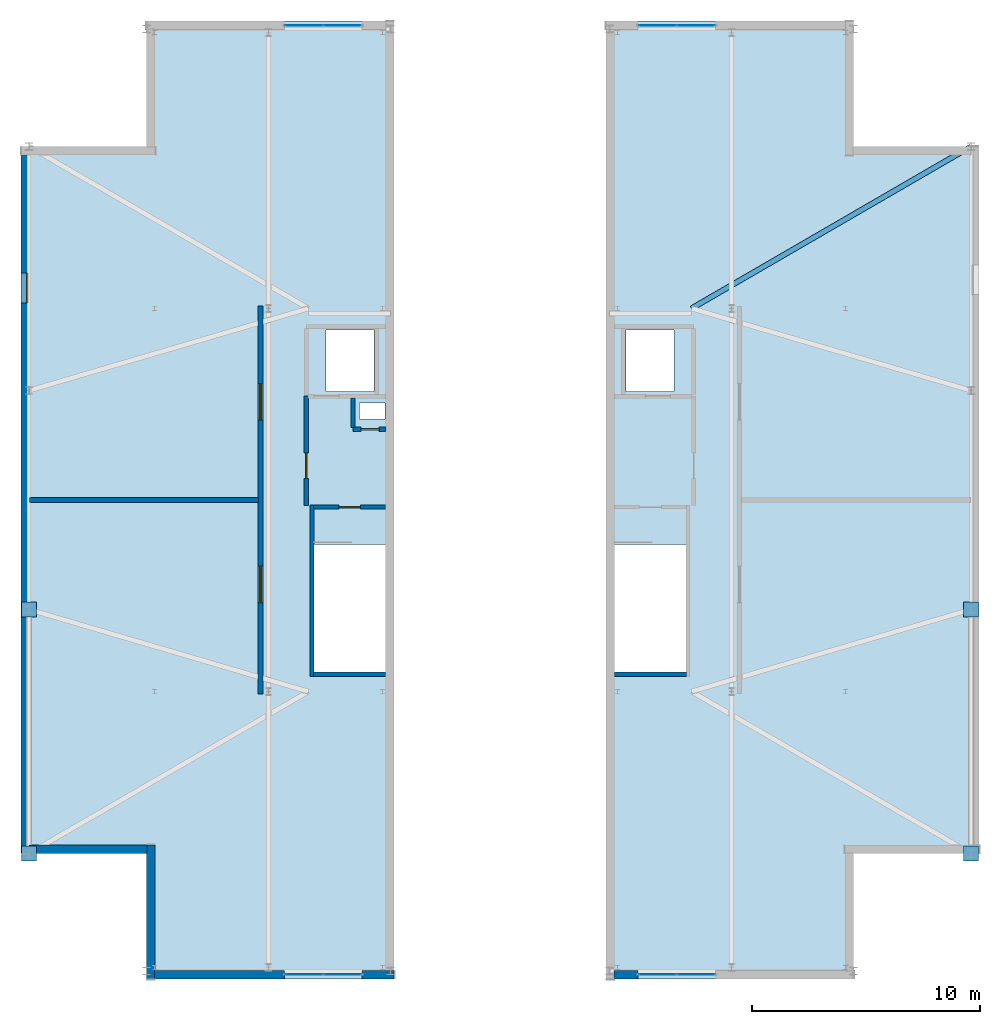
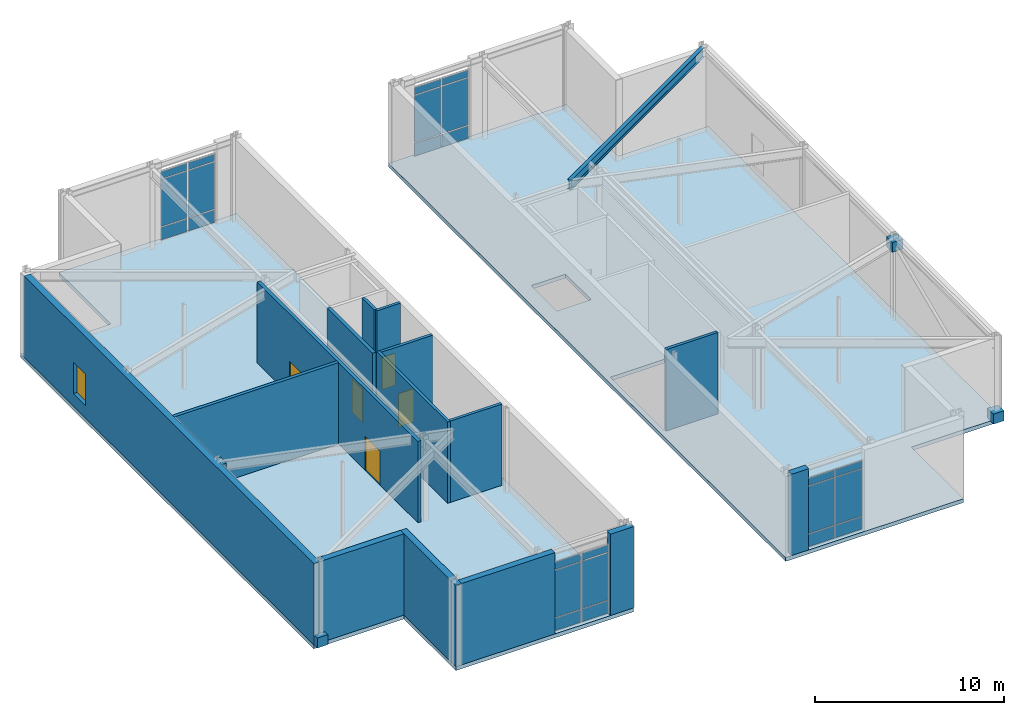
# One storey, part 11 of 14: 28 plates, 15 walls, 5 doors, 2 slabs, 1 beam, 1 window, 6 openings, 4 elements without a shape of their own.
"""IFC4 building model written with IfcOpenShell, lengths in metres."""

from ifc_helpers import new_model, si_unit, direction, frame, frame_2d, origin, origin_2d, place, context, subcontext, project, spatial, polyline, rectangle, i_section, outline, extrude, material, layer, layer_set, material_profile, profile_set, type_object, element, fill, aggregate, save


model = new_model("IFC4")

# Units and contexts
model_context = context("Model", 3, precision=1e-05, world=origin(), true_north=direction((0.0, 1.0)))
body_context = subcontext(model_context, "Body", "Model", "MODEL_VIEW")
ifc_project = project(units=[si_unit("LENGTHUNIT", "METRE"), si_unit("AREAUNIT", "SQUARE_METRE"), si_unit("VOLUMEUNIT", "CUBIC_METRE"), si_unit("PLANEANGLEUNIT", "RADIAN"), si_unit("MASSUNIT", "GRAM", prefix="KILO")], contexts=[model_context])

# Site, building, storey
site_placement = place(None, origin())
site = spatial("IfcSite", under=ifc_project, at=site_placement, CompositionType="ELEMENT")
building_placement = place(site_placement, origin())
building = spatial("IfcBuilding", under=site, at=building_placement, Name="Cairnveth Concourse Tower", CompositionType="ELEMENT")
storey_placement = place(building_placement, frame((0.0, 0.0, 330.0)))
storey = spatial("IfcBuildingStorey", under=building, at=storey_placement, Name="L90", CompositionType="ELEMENT", Elevation=330.0)

# Beam
ifc_material_1 = material(Name="Steel Grade 350", Category="steel")
ifc_material_profile = material_profile(ifc_material_1, i_section(OverallWidth=0.22900390625, OverallDepth=0.612060546875, WebThickness=0.011962890625, FlangeThickness=0.01953125, FilletRadius=0.013916015625, at=origin_2d()), Name="610UB125")
ifc_profile_set = profile_set([ifc_material_profile], Name="Steel Grade 350")
beam_type = type_object("IfcBeamType", Name="ZONE 4 RADIAL GIRDER 610UB125", PredefinedType="BEAM", material=ifc_profile_set)
beam_placement = place(storey_placement, frame((60.39990234375, 47.39990234375, 4.944091796875), z_axis=(0.86518141842, 0.501458984584, 0.0), x_axis=(-0.501458984584, 0.86518141842, 0.0)))
element("IfcBeam", 1, at=beam_placement, inside=storey, type_object=beam_type, Name="Beam CB-E4 L90", PredefinedType="BEAM", context=body_context, shape_type="SweptSolid", body=[
    extrude(i_section(OverallWidth=0.22900390625, OverallDepth=0.612060546875, WebThickness=0.011962890625, FlangeThickness=0.01953125, FilletRadius=0.013916015625, at=origin_2d()), origin(), (0.0, 0.0, 1.0), 14.158935546875),
])

# Slabs
ifc_material_2 = material(Name="Concrete N50 (50 MPa)", Category="concrete")
ifc_layer_1 = layer(ifc_material_2, 0.25)
ifc_layer_set_1 = layer_set([ifc_layer_1], Name="Concrete N50 (50 MPa)")
slab_type = type_object("IfcSlabType", Name="CROWN PLANT FLOOR SLAB 250", PredefinedType="FLOOR", material=ifc_layer_set_1)
slab_1_placement = place(storey_placement, frame((0.0, 0.0, -0.25)))
element("IfcSlab", 2, at=slab_1_placement, inside=storey, type_object=slab_type, Name="West Crown Peak Floor Slab L90", PredefinedType="FLOOR", context=body_context, shape_type="SweptSolid", body=[
    extrude(outline(polyline([(36.5, 18.0), (47.360107421875, 18.0), (47.360107421875, 60.0), (36.5, 60.0), (36.5, 54.5), (31.0, 54.5), (31.0, 23.5), (36.5, 23.5), (36.5, 18.0)]), holes=[polyline([(43.760009765625, 31.360107421875), (47.06005859375, 31.360107421875), (47.06005859375, 37.0400390625), (43.760009765625, 37.0400390625), (43.760009765625, 31.360107421875)]), polyline([(44.3701171875, 43.75), (46.469970703125, 43.75), (46.469970703125, 46.449951171875), (44.3701171875, 46.449951171875), (44.3701171875, 43.75)]), polyline([(45.85009765625, 42.550048828125), (46.949951171875, 42.550048828125), (46.949951171875, 43.25), (45.85009765625, 43.25), (45.85009765625, 42.550048828125)])]), origin(), (0.0, 0.0, 1.0), 0.25),
])
slab_2_placement = place(storey_placement, frame((0.0, 0.0, -0.25)))
element("IfcSlab", 3, at=slab_2_placement, inside=storey, type_object=slab_type, Name="East Crown Peak Floor Slab L90", PredefinedType="FLOOR", context=body_context, shape_type="SweptSolid", body=[
    extrude(outline(polyline([(56.639892578125, 18.0), (67.5, 18.0), (67.5, 23.5), (73.0, 23.5), (73.0, 54.5), (67.5, 54.5), (67.5, 60.0), (56.639892578125, 60.0), (56.639892578125, 18.0)]), holes=[polyline([(56.93994140625, 31.360107421875), (60.239990234375, 31.360107421875), (60.239990234375, 37.0400390625), (56.93994140625, 37.0400390625), (56.93994140625, 31.360107421875)]), polyline([(57.530029296875, 43.75), (59.6298828125, 43.75), (59.6298828125, 46.449951171875), (57.530029296875, 46.449951171875), (57.530029296875, 43.75)])]), origin(), (0.0, 0.0, 1.0), 0.25),
])

# Curtain wall, plates
ifc_material_3 = material(Name="Architectural Bronze Anodised Aluminium 6063-T6", Category="aluminium")
ifc_layer_2 = layer(ifc_material_3, 0.320068359375)
ifc_layer_set_2 = layer_set([ifc_layer_2], Name="Architectural Bronze Anodised Aluminium 6063-T6")
curtain_wall_type = type_object("IfcCurtainWallType", Name="CROWN LANTERN GABLE CURTAIN WALL", PredefinedType="USERDEFINED", material=ifc_layer_set_2)
curtain_wall_1_placement = place(storey_placement, origin())
curtain_wall_1 = element("IfcCurtainWall", 4, at=curtain_wall_1_placement, inside=storey, type_object=curtain_wall_type, Name="Curtain Wall CW-L90-CROWN-W5", ObjectType="SHOPFRONT GLAZING", PredefinedType="USERDEFINED")
ifc_material_4 = material(Name="Double Glazed Low-E Clear Glass", Category="glass")
ifc_layer_3 = layer(ifc_material_4, 0.028076171875)
ifc_layer_set_3 = layer_set([ifc_layer_3], Name="Double Glazed Low-E Clear Glass")
plate_type_1 = type_object("IfcPlateType", Name="DOUBLE GLAZED LOW-E CURTAIN PANEL 28", PredefinedType="CURTAIN_PANEL", material=ifc_layer_set_3)
plate_1_placement = place(storey_placement, frame((43.407470703125, 59.81005859375, 0.06005859375), z_axis=(0.0, 0.0, 1.0), x_axis=(1.0, 0.0, 0.0)))
plate_1 = element("IfcPlate", 5, at=plate_1_placement, type_object=plate_type_1, Name="CWS6 panel 1.1", PredefinedType="CURTAIN_PANEL", context=body_context, shape_type="SweptSolid", body=[
    extrude(rectangle(XDim=1.625, YDim=0.028076171875, at=origin_2d()), origin(), (0.0, 0.0, 1.0), 0.81005859375),
])
plate_2_placement = place(storey_placement, frame((43.407470703125, 59.81005859375, 0.93017578125), z_axis=(0.0, 0.0, 1.0), x_axis=(1.0, 0.0, 0.0)))
plate_2 = element("IfcPlate", 6, at=plate_2_placement, type_object=plate_type_1, Name="CWS6 panel 1.2", PredefinedType="CURTAIN_PANEL", context=body_context, shape_type="SweptSolid", body=[
    extrude(rectangle(XDim=1.625, YDim=0.028076171875, at=origin_2d()), origin(), (0.0, 0.0, 1.0), 3.028076171875),
])
plate_3_placement = place(storey_placement, frame((43.407470703125, 59.81005859375, 4.01806640625), z_axis=(0.0, 0.0, 1.0), x_axis=(1.0, 0.0, 0.0)))
plate_3 = element("IfcPlate", 7, at=plate_3_placement, type_object=plate_type_1, Name="CWS6 panel 1.3", PredefinedType="CURTAIN_PANEL", context=body_context, shape_type="SweptSolid", body=[
    extrude(rectangle(XDim=1.625, YDim=0.028076171875, at=origin_2d()), origin(), (0.0, 0.0, 1.0), 0.4599609375),
])
plate_4_placement = place(storey_placement, frame((45.092529296875, 59.81005859375, 0.06005859375), z_axis=(0.0, 0.0, 1.0), x_axis=(1.0, 0.0, 0.0)))
plate_4 = element("IfcPlate", 8, at=plate_4_placement, type_object=plate_type_1, Name="CWS6 panel 2.1", PredefinedType="CURTAIN_PANEL", context=body_context, shape_type="SweptSolid", body=[
    extrude(rectangle(XDim=1.625, YDim=0.028076171875, at=origin_2d()), origin(), (0.0, 0.0, 1.0), 0.81005859375),
])
plate_5_placement = place(storey_placement, frame((45.092529296875, 59.81005859375, 0.93017578125), z_axis=(0.0, 0.0, 1.0), x_axis=(1.0, 0.0, 0.0)))
plate_5 = element("IfcPlate", 9, at=plate_5_placement, type_object=plate_type_1, Name="CWS6 panel 2.2", PredefinedType="CURTAIN_PANEL", context=body_context, shape_type="SweptSolid", body=[
    extrude(rectangle(XDim=1.625, YDim=0.028076171875, at=origin_2d()), origin(), (0.0, 0.0, 1.0), 3.028076171875),
])
plate_6_placement = place(storey_placement, frame((45.092529296875, 59.81005859375, 4.01806640625), z_axis=(0.0, 0.0, 1.0), x_axis=(1.0, 0.0, 0.0)))
plate_6 = element("IfcPlate", 10, at=plate_6_placement, type_object=plate_type_1, Name="CWS6 panel 2.3", PredefinedType="CURTAIN_PANEL", context=body_context, shape_type="SweptSolid", body=[
    extrude(rectangle(XDim=1.625, YDim=0.028076171875, at=origin_2d()), origin(), (0.0, 0.0, 1.0), 0.4599609375),
])
aggregate(curtain_wall_1, [plate_1, plate_2, plate_3, plate_4, plate_5, plate_6])

curtain_wall_2_placement = place(storey_placement, origin())
curtain_wall_2 = element("IfcCurtainWall", 11, at=curtain_wall_2_placement, inside=storey, type_object=curtain_wall_type, Name="Curtain Wall CW-L90-CROWN-W7", ObjectType="SHOPFRONT GLAZING", PredefinedType="USERDEFINED")
plate_7_placement = place(storey_placement, frame((45.092529296875, 18.18994140625, 0.06005859375), z_axis=(0.0, 0.0, 1.0), x_axis=(-1.0, 0.0, 0.0)))
plate_7 = element("IfcPlate", 12, at=plate_7_placement, type_object=plate_type_1, Name="CWS6 panel 1.1", PredefinedType="CURTAIN_PANEL", context=body_context, shape_type="SweptSolid", body=[
    extrude(rectangle(XDim=1.625, YDim=0.028076171875, at=origin_2d()), origin(), (0.0, 0.0, 1.0), 0.81005859375),
])
plate_8_placement = place(storey_placement, frame((45.092529296875, 18.18994140625, 0.93017578125), z_axis=(0.0, 0.0, 1.0), x_axis=(-1.0, 0.0, 0.0)))
plate_8 = element("IfcPlate", 13, at=plate_8_placement, type_object=plate_type_1, Name="CWS6 panel 1.2", PredefinedType="CURTAIN_PANEL", context=body_context, shape_type="SweptSolid", body=[
    extrude(rectangle(XDim=1.625, YDim=0.028076171875, at=origin_2d()), origin(), (0.0, 0.0, 1.0), 3.028076171875),
])
plate_9_placement = place(storey_placement, frame((45.092529296875, 18.18994140625, 4.01806640625), z_axis=(0.0, 0.0, 1.0), x_axis=(-1.0, 0.0, 0.0)))
plate_9 = element("IfcPlate", 14, at=plate_9_placement, type_object=plate_type_1, Name="CWS6 panel 1.3", PredefinedType="CURTAIN_PANEL", context=body_context, shape_type="SweptSolid", body=[
    extrude(rectangle(XDim=1.625, YDim=0.028076171875, at=origin_2d()), origin(), (0.0, 0.0, 1.0), 0.4599609375),
])
plate_10_placement = place(storey_placement, frame((43.407470703125, 18.18994140625, 0.06005859375), z_axis=(0.0, 0.0, 1.0), x_axis=(-1.0, 0.0, 0.0)))
plate_10 = element("IfcPlate", 15, at=plate_10_placement, type_object=plate_type_1, Name="CWS6 panel 2.1", PredefinedType="CURTAIN_PANEL", context=body_context, shape_type="SweptSolid", body=[
    extrude(rectangle(XDim=1.625, YDim=0.028076171875, at=origin_2d()), origin(), (0.0, 0.0, 1.0), 0.81005859375),
])
plate_11_placement = place(storey_placement, frame((43.407470703125, 18.18994140625, 0.93017578125), z_axis=(0.0, 0.0, 1.0), x_axis=(-1.0, 0.0, 0.0)))
plate_11 = element("IfcPlate", 16, at=plate_11_placement, type_object=plate_type_1, Name="CWS6 panel 2.2", PredefinedType="CURTAIN_PANEL", context=body_context, shape_type="SweptSolid", body=[
    extrude(rectangle(XDim=1.625, YDim=0.028076171875, at=origin_2d()), origin(), (0.0, 0.0, 1.0), 3.028076171875),
])
plate_12_placement = place(storey_placement, frame((43.407470703125, 18.18994140625, 4.01806640625), z_axis=(0.0, 0.0, 1.0), x_axis=(-1.0, 0.0, 0.0)))
plate_12 = element("IfcPlate", 17, at=plate_12_placement, type_object=plate_type_1, Name="CWS6 panel 2.3", PredefinedType="CURTAIN_PANEL", context=body_context, shape_type="SweptSolid", body=[
    extrude(rectangle(XDim=1.625, YDim=0.028076171875, at=origin_2d()), origin(), (0.0, 0.0, 1.0), 0.4599609375),
])
aggregate(curtain_wall_2, [plate_7, plate_8, plate_9, plate_10, plate_11, plate_12])

curtain_wall_3_placement = place(storey_placement, origin())
curtain_wall_3 = element("IfcCurtainWall", 18, at=curtain_wall_3_placement, inside=storey, type_object=curtain_wall_type, Name="Curtain Wall CW-L90-CROWN-E1", ObjectType="SHOPFRONT GLAZING", PredefinedType="USERDEFINED")
plate_13_placement = place(storey_placement, frame((58.907470703125, 59.81005859375, 0.06005859375), z_axis=(0.0, 0.0, 1.0), x_axis=(1.0, 0.0, 0.0)))
plate_13 = element("IfcPlate", 19, at=plate_13_placement, type_object=plate_type_1, Name="CWS6 panel 1.1", PredefinedType="CURTAIN_PANEL", context=body_context, shape_type="SweptSolid", body=[
    extrude(rectangle(XDim=1.625, YDim=0.028076171875, at=origin_2d()), origin(), (0.0, 0.0, 1.0), 0.81005859375),
])
plate_14_placement = place(storey_placement, frame((58.907470703125, 59.81005859375, 0.93017578125), z_axis=(0.0, 0.0, 1.0), x_axis=(1.0, 0.0, 0.0)))
plate_14 = element("IfcPlate", 20, at=plate_14_placement, type_object=plate_type_1, Name="CWS6 panel 1.2", PredefinedType="CURTAIN_PANEL", context=body_context, shape_type="SweptSolid", body=[
    extrude(rectangle(XDim=1.625, YDim=0.028076171875, at=origin_2d()), origin(), (0.0, 0.0, 1.0), 3.028076171875),
])
plate_15_placement = place(storey_placement, frame((58.907470703125, 59.81005859375, 4.01806640625), z_axis=(0.0, 0.0, 1.0), x_axis=(1.0, 0.0, 0.0)))
plate_15 = element("IfcPlate", 21, at=plate_15_placement, type_object=plate_type_1, Name="CWS6 panel 1.3", PredefinedType="CURTAIN_PANEL", context=body_context, shape_type="SweptSolid", body=[
    extrude(rectangle(XDim=1.625, YDim=0.028076171875, at=origin_2d()), origin(), (0.0, 0.0, 1.0), 0.4599609375),
])
plate_16_placement = place(storey_placement, frame((60.592529296875, 59.81005859375, 0.06005859375), z_axis=(0.0, 0.0, 1.0), x_axis=(1.0, 0.0, 0.0)))
plate_16 = element("IfcPlate", 22, at=plate_16_placement, type_object=plate_type_1, Name="CWS6 panel 2.1", PredefinedType="CURTAIN_PANEL", context=body_context, shape_type="SweptSolid", body=[
    extrude(rectangle(XDim=1.625, YDim=0.028076171875, at=origin_2d()), origin(), (0.0, 0.0, 1.0), 0.81005859375),
])
plate_17_placement = place(storey_placement, frame((60.592529296875, 59.81005859375, 0.93017578125), z_axis=(0.0, 0.0, 1.0), x_axis=(1.0, 0.0, 0.0)))
plate_17 = element("IfcPlate", 23, at=plate_17_placement, type_object=plate_type_1, Name="CWS6 panel 2.2", PredefinedType="CURTAIN_PANEL", context=body_context, shape_type="SweptSolid", body=[
    extrude(rectangle(XDim=1.625, YDim=0.028076171875, at=origin_2d()), origin(), (0.0, 0.0, 1.0), 3.028076171875),
])
plate_18_placement = place(storey_placement, frame((60.592529296875, 59.81005859375, 4.01806640625), z_axis=(0.0, 0.0, 1.0), x_axis=(1.0, 0.0, 0.0)))
plate_18 = element("IfcPlate", 24, at=plate_18_placement, type_object=plate_type_1, Name="CWS6 panel 2.3", PredefinedType="CURTAIN_PANEL", context=body_context, shape_type="SweptSolid", body=[
    extrude(rectangle(XDim=1.625, YDim=0.028076171875, at=origin_2d()), origin(), (0.0, 0.0, 1.0), 0.4599609375),
])
aggregate(curtain_wall_3, [plate_13, plate_14, plate_15, plate_16, plate_17, plate_18])

curtain_wall_4_placement = place(storey_placement, origin())
curtain_wall_4 = element("IfcCurtainWall", 25, at=curtain_wall_4_placement, inside=storey, type_object=curtain_wall_type, Name="Curtain Wall CW-L90-CROWN-E7", ObjectType="SHOPFRONT GLAZING", PredefinedType="USERDEFINED")
plate_19_placement = place(storey_placement, frame((60.592529296875, 18.18994140625, 0.06005859375), z_axis=(0.0, 0.0, 1.0), x_axis=(-1.0, 0.0, 0.0)))
plate_19 = element("IfcPlate", 26, at=plate_19_placement, type_object=plate_type_1, Name="CWS6 panel 1.1", PredefinedType="CURTAIN_PANEL", context=body_context, shape_type="SweptSolid", body=[
    extrude(rectangle(XDim=1.625, YDim=0.028076171875, at=origin_2d()), origin(), (0.0, 0.0, 1.0), 0.81005859375),
])
plate_20_placement = place(storey_placement, frame((60.592529296875, 18.18994140625, 0.93017578125), z_axis=(0.0, 0.0, 1.0), x_axis=(-1.0, 0.0, 0.0)))
plate_20 = element("IfcPlate", 27, at=plate_20_placement, type_object=plate_type_1, Name="CWS6 panel 1.2", PredefinedType="CURTAIN_PANEL", context=body_context, shape_type="SweptSolid", body=[
    extrude(rectangle(XDim=1.625, YDim=0.028076171875, at=origin_2d()), origin(), (0.0, 0.0, 1.0), 3.028076171875),
])
plate_21_placement = place(storey_placement, frame((60.592529296875, 18.18994140625, 4.01806640625), z_axis=(0.0, 0.0, 1.0), x_axis=(-1.0, 0.0, 0.0)))
plate_21 = element("IfcPlate", 28, at=plate_21_placement, type_object=plate_type_1, Name="CWS6 panel 1.3", PredefinedType="CURTAIN_PANEL", context=body_context, shape_type="SweptSolid", body=[
    extrude(rectangle(XDim=1.625, YDim=0.028076171875, at=origin_2d()), origin(), (0.0, 0.0, 1.0), 0.4599609375),
])
plate_22_placement = place(storey_placement, frame((58.907470703125, 18.18994140625, 0.06005859375), z_axis=(0.0, 0.0, 1.0), x_axis=(-1.0, 0.0, 0.0)))
plate_22 = element("IfcPlate", 29, at=plate_22_placement, type_object=plate_type_1, Name="CWS6 panel 2.1", PredefinedType="CURTAIN_PANEL", context=body_context, shape_type="SweptSolid", body=[
    extrude(rectangle(XDim=1.625, YDim=0.028076171875, at=origin_2d()), origin(), (0.0, 0.0, 1.0), 0.81005859375),
])
plate_23_placement = place(storey_placement, frame((58.907470703125, 18.18994140625, 0.93017578125), z_axis=(0.0, 0.0, 1.0), x_axis=(-1.0, 0.0, 0.0)))
plate_23 = element("IfcPlate", 30, at=plate_23_placement, type_object=plate_type_1, Name="CWS6 panel 2.2", PredefinedType="CURTAIN_PANEL", context=body_context, shape_type="SweptSolid", body=[
    extrude(rectangle(XDim=1.625, YDim=0.028076171875, at=origin_2d()), origin(), (0.0, 0.0, 1.0), 3.028076171875),
])
plate_24_placement = place(storey_placement, frame((58.907470703125, 18.18994140625, 4.01806640625), z_axis=(0.0, 0.0, 1.0), x_axis=(-1.0, 0.0, 0.0)))
plate_24 = element("IfcPlate", 31, at=plate_24_placement, type_object=plate_type_1, Name="CWS6 panel 2.3", PredefinedType="CURTAIN_PANEL", context=body_context, shape_type="SweptSolid", body=[
    extrude(rectangle(XDim=1.625, YDim=0.028076171875, at=origin_2d()), origin(), (0.0, 0.0, 1.0), 0.4599609375),
])
aggregate(curtain_wall_4, [plate_19, plate_20, plate_21, plate_22, plate_23, plate_24])

# Plates
ifc_layer_4 = layer(ifc_material_1, 0.02392578125)
ifc_layer_set_4 = layer_set([ifc_layer_4], Name="Steel Grade 350")
plate_type_2 = type_object("IfcPlateType", Name="HOLLOW BRACE END CAP PLATE 24", PredefinedType="SHEET", material=ifc_layer_set_4)
for number, where, z_axis, x_axis, name in (
    (32, (31.35009765625, 23.5, -0.02001953125), (0.0, 0.0, 1.0), (1.0, 0.0, 0.0), "Structural Node Plate 1565 L90"),
    (33, (31.35009765625, 34.199951171875, 4.580078125), (0.0, 0.0, 1.0), (1.0, 0.0, 0.0), "Structural Node Plate 1566 L90"),
    (34, (72.64990234375, 23.5, -0.02001953125), (0.0, 0.0, 1.0), (1.0, 0.0, 0.0), "Structural Node Plate 1567 L90"),
    (35, (72.64990234375, 34.199951171875, 4.580078125), (0.0, 0.0, 1.0), (1.0, 0.0, 0.0), "Structural Node Plate 1568 L90"),
):
    element("IfcPlate", number, at=place(storey_placement, frame(where, z_axis=z_axis, x_axis=x_axis)), inside=storey, type_object=plate_type_2, Name=name, PredefinedType="SHEET", context=body_context, shape_type="SweptSolid", body=[
        extrude(rectangle(XDim=0.639892578125, YDim=0.639892578125, at=origin_2d()), origin(), (0.0, 0.0, 1.0), 0.639892578125),
    ])

# Walls
ifc_material_5 = material(Name="Melbourne Buff Fired Clay Brick Masonry", Category="masonry")
ifc_layer_5 = layer(ifc_material_5, 0.3798828125)
ifc_layer_set_5 = layer_set([ifc_layer_5], Name="Melbourne Buff Fired Clay Brick Masonry")
wall_type_1 = type_object("IfcWallType", Name="EXTERIOR BRICK SPANDREL WALL 380", PredefinedType="SOLIDWALL", material=ifc_layer_set_5)
wall_1_placement = place(storey_placement, frame((36.68994140625, 18.0, 0.0), z_axis=(0.0, 0.0, 1.0), x_axis=(0.0, 1.0, 0.0)))
element("IfcWall", 36, at=wall_1_placement, inside=storey, type_object=wall_type_1, Name="Exterior Wall EW-L90-W0", PredefinedType="SOLIDWALL", context=body_context, shape_type="SweptSolid", body=[
    extrude(rectangle(XDim=5.8798828125, YDim=0.3798828125, at=frame_2d((2.93994140625, 0.0))), origin(), (0.0, 0.0, 1.0), 5.25),
])
wall_2_placement = place(storey_placement, frame((36.52197265625, 23.68994140625, 0.0), z_axis=(0.0, 0.0, 1.0), x_axis=(-1.0, 0.0, 0.0)))
element("IfcWall", 37, at=wall_2_placement, inside=storey, type_object=wall_type_1, Name="Exterior Wall EW-L90-W1", PredefinedType="SOLIDWALL", context=body_context, shape_type="SweptSolid", body=[
    extrude(rectangle(XDim=5.1640625, YDim=0.3798828125, at=frame_2d((2.58203125, 0.0))), origin(), (0.0, 0.0, 1.0), 5.25),
])

# Wall, opening, window
wall_3_placement = place(storey_placement, frame((31.18994140625, 23.5, 0.0), z_axis=(0.0, 0.0, 1.0), x_axis=(0.0, 1.0, 0.0)))
wall_3 = element("IfcWall", 38, at=wall_3_placement, inside=storey, type_object=wall_type_1, Name="Exterior Wall EW-L90-W2", PredefinedType="SOLIDWALL", context=body_context, shape_type="SweptSolid", body=[
    extrude(rectangle(XDim=30.64208984375, YDim=0.3798828125, at=frame_2d((15.321044921875, 0.0))), origin(), (0.0, 0.0, 1.0), 5.25),
])
opening_1_placement = place(wall_3_placement, frame((24.14208984375, 0.0, 0.800048828125)))
opening_1 = element("IfcOpeningElement", 39, at=opening_1_placement, cuts=wall_3, Name="Opening W12", PredefinedType="OPENING", context=body_context, shape_type="SweptSolid", body=[
    extrude(rectangle(XDim=1.300048828125, YDim=2.050048828125, at=frame_2d((0.64990234375, 1.02490234375))), frame((0.0, 0.199951171875, 0.0), z_axis=(0.0, -1.0, 0.0), x_axis=(1.0, 0.0, 0.0)), (0.0, 0.0, 1.0), 0.39990234375),
])
window_type = type_object("IfcWindowType", Name="CROWN GABLE LANCET WINDOW 1300X2200", PartitioningType="DOUBLE_PANEL_VERTICAL", PredefinedType="WINDOW", material=ifc_material_4)
window_placement = place(opening_1_placement, origin())
window = element("IfcWindow", 40, at=window_placement, inside=storey, type_object=window_type, Name="WIN-L90-W2-1", OverallHeight=2.050048828125, OverallWidth=1.300048828125, PartitioningType="SINGLE_PANEL", PredefinedType="WINDOW", context=body_context, shape_type="SweptSolid", body=[
    extrude(rectangle(XDim=1.300048828125, YDim=2.050048828125, at=frame_2d((0.64990234375, 1.02490234375))), frame((0.0, -0.050048828125, 0.0), z_axis=(0.0, -1.0, 0.0), x_axis=(1.0, 0.0, 0.0)), (0.0, 0.0, 1.0), 0.06005859375),
])
fill(opening_1, window)

# Walls
wall_4_placement = place(storey_placement, frame((47.360107421875, 18.18994140625, 0.0), z_axis=(0.0, 0.0, 1.0), x_axis=(-1.0, 0.0, 0.0)))
element("IfcWall", 41, at=wall_4_placement, inside=storey, type_object=wall_type_1, Name="Exterior Wall EW-L90-W7A", PredefinedType="SOLIDWALL", context=body_context, shape_type="SweptSolid", body=[
    extrude(rectangle(XDim=1.41015625, YDim=0.3798828125, at=frame_2d((0.705078125, 0.0))), origin(), (0.0, 0.0, 1.0), 5.25),
])
wall_5_placement = place(storey_placement, frame((42.550048828125, 18.18994140625, 0.0), z_axis=(0.0, 0.0, 1.0), x_axis=(-1.0, 0.0, 0.0)))
element("IfcWall", 42, at=wall_5_placement, inside=storey, type_object=wall_type_1, Name="Exterior Wall EW-L90-W7B", PredefinedType="SOLIDWALL", context=body_context, shape_type="SweptSolid", body=[
    extrude(rectangle(XDim=5.692138671875, YDim=0.3798828125, at=frame_2d((2.84619140625, 0.0))), origin(), (0.0, 0.0, 1.0), 5.25),
])
wall_6_placement = place(storey_placement, frame((58.050048828125, 18.18994140625, 0.0), z_axis=(0.0, 0.0, 1.0), x_axis=(-1.0, 0.0, 0.0)))
element("IfcWall", 43, at=wall_6_placement, inside=storey, type_object=wall_type_1, Name="Exterior Wall EW-L90-E7B", PredefinedType="SOLIDWALL", context=body_context, shape_type="SweptSolid", body=[
    extrude(rectangle(XDim=1.052001953125, YDim=0.3798828125, at=frame_2d((0.52587890625, 0.0))), origin(), (0.0, 0.0, 1.0), 5.25),
])

# Wall, opening, door
ifc_layer_6 = layer(ifc_material_2, 0.179931640625)
ifc_layer_set_6 = layer_set([ifc_layer_6], Name="Concrete N50 (50 MPa)")
wall_type_2 = type_object("IfcWallType", Name="FIRE SHAFT WALL 180", PredefinedType="SOLIDWALL", material=ifc_layer_set_6)
wall_7_placement = place(storey_placement, frame((45.550048828125, 42.10009765625, 0.0), z_axis=(0.0, 0.0, 1.0), x_axis=(1.0, 0.0, 0.0)))
wall_7 = element("IfcWall", 44, at=wall_7_placement, inside=storey, type_object=wall_type_2, Name="Interior Wall IW-L90-006", PredefinedType="SOLIDWALL", context=body_context, shape_type="SweptSolid", body=[
    extrude(rectangle(XDim=1.445068359375, YDim=0.179931640625, at=frame_2d((0.72265625, 0.0))), origin(), (0.0, 0.0, 1.0), 5.25),
])
opening_2_placement = place(wall_7_placement, frame((0.35009765625, 0.0, 0.0)))
opening_2 = element("IfcOpeningElement", 45, at=opening_2_placement, cuts=wall_7, Name="Opening ID24", PredefinedType="OPENING", context=body_context, shape_type="SweptSolid", body=[
    extrude(rectangle(XDim=0.800048828125, YDim=2.080078125, at=frame_2d((0.39990234375, 1.0400390625))), frame((0.0, 0.099853515625, 0.0), z_axis=(0.0, -1.0, 0.0), x_axis=(1.0, 0.0, 0.0)), (0.0, 0.0, 1.0), 0.199951171875),
])
door_type_1 = type_object("IfcDoorType", Name="RISER ACCESS DOOR 800X2100", OperationType="NOTDEFINED", PredefinedType="DOOR", material=ifc_material_1)
door_1_placement = place(opening_2_placement, origin())
door_1 = element("IfcDoor", 46, at=door_1_placement, inside=storey, type_object=door_type_1, Name="Crown Electrical Riser Access Door L90", OperationType="SINGLE_SWING_LEFT", OverallHeight=2.080078125, OverallWidth=0.800048828125, PredefinedType="DOOR", context=body_context, shape_type="SweptSolid", body=[
    extrude(rectangle(XDim=0.800048828125, YDim=2.080078125, at=frame_2d((0.39990234375, 1.0400390625))), frame((0.0, 0.02490234375, 0.0), z_axis=(0.0, -1.0, 0.0), x_axis=(1.0, 0.0, 0.0)), (0.0, 0.0, 1.0), 0.050048828125),
])
fill(opening_2, door_1)

# Wall
wall_8_placement = place(storey_placement, frame((45.550048828125, 42.175048828125, 0.0), z_axis=(0.0, 0.0, 1.0), x_axis=(0.0, 1.0, 0.0)))
element("IfcWall", 47, at=wall_8_placement, inside=storey, type_object=wall_type_2, Name="Interior Wall IW-L90-007", PredefinedType="SOLIDWALL", context=body_context, shape_type="SweptSolid", body=[
    extrude(rectangle(XDim=1.2900390625, YDim=0.179931640625, at=frame_2d((0.64501953125, 0.0))), origin(), (0.0, 0.0, 1.0), 5.25),
])

# Wall, opening, door
wall_9_placement = place(storey_placement, frame((43.824951171875, 38.68994140625, 0.0), z_axis=(0.0, 0.0, 1.0), x_axis=(1.0, 0.0, 0.0)))
wall_9 = element("IfcWall", 48, at=wall_9_placement, inside=storey, type_object=wall_type_2, Name="Stair ST-1 Shaft Wall NEAR L90", PredefinedType="SOLIDWALL", context=body_context, shape_type="SweptSolid", body=[
    extrude(rectangle(XDim=3.1650390625, YDim=0.179931640625, at=frame_2d((1.58251953125, 0.0))), origin(), (0.0, 0.0, 1.0), 5.25),
])
opening_3_placement = place(wall_9_placement, frame((1.107421875, 0.0, 0.0)))
opening_3 = element("IfcOpeningElement", 49, at=opening_3_placement, cuts=wall_9, Name="Opening ID12", PredefinedType="OPENING", context=body_context, shape_type="SweptSolid", body=[
    extrude(rectangle(XDim=0.949951171875, YDim=2.14990234375, at=frame_2d((0.47509765625, 1.074951171875))), frame((0.0, 0.099853515625, 0.0), z_axis=(0.0, -1.0, 0.0), x_axis=(1.0, 0.0, 0.0)), (0.0, 0.0, 1.0), 0.199951171875),
])
door_type_2 = type_object("IfcDoorType", Name="FIRE STAIR DOOR 950X2150", OperationType="NOTDEFINED", PredefinedType="DOOR", material=ifc_material_1)
door_2_placement = place(opening_3_placement, origin())
door_2 = element("IfcDoor", 50, at=door_2_placement, inside=storey, type_object=door_type_2, Name="Stair ST-1 Fire Door L90", OperationType="SINGLE_SWING_LEFT", OverallHeight=2.14990234375, OverallWidth=0.949951171875, PredefinedType="DOOR", context=body_context, shape_type="SweptSolid", body=[
    extrude(rectangle(XDim=0.949951171875, YDim=2.14990234375, at=frame_2d((0.47509765625, 1.074951171875))), frame((0.0, 0.02490234375, 0.0), z_axis=(0.0, -1.0, 0.0), x_axis=(1.0, 0.0, 0.0)), (0.0, 0.0, 1.0), 0.050048828125),
])
fill(opening_3, door_2)

# Walls
wall_10_placement = place(storey_placement, frame((43.824951171875, 31.360107421875, 0.0), z_axis=(0.0, 0.0, 1.0), x_axis=(1.0, 0.0, 0.0)))
element("IfcWall", 51, at=wall_10_placement, inside=storey, type_object=wall_type_2, Name="Stair ST-1 Shaft Wall FAR L90", PredefinedType="SOLIDWALL", context=body_context, shape_type="SweptSolid", body=[
    extrude(rectangle(XDim=3.1650390625, YDim=0.179931640625, at=frame_2d((1.58251953125, 0.0))), origin(), (0.0, 0.0, 1.0), 5.25),
])
wall_11_placement = place(storey_placement, frame((43.75, 38.780029296875, 0.0), z_axis=(0.0, 0.0, 1.0), x_axis=(0.0, -1.0, 0.0)))
element("IfcWall", 52, at=wall_11_placement, inside=storey, type_object=wall_type_2, Name="Stair ST-1 Shaft Wall LEFT L90", PredefinedType="SOLIDWALL", context=body_context, shape_type="SweptSolid", body=[
    extrude(rectangle(XDim=7.510009765625, YDim=0.179931640625, at=frame_2d((3.7548828125, 0.0))), origin(), (0.0, 0.0, 1.0), 5.25),
])
wall_12_placement = place(storey_placement, frame((57.010009765625, 31.360107421875, 0.0), z_axis=(0.0, 0.0, 1.0), x_axis=(1.0, 0.0, 0.0)))
element("IfcWall", 53, at=wall_12_placement, inside=storey, type_object=wall_type_2, Name="Stair ST-2 Shaft Wall FAR L90", PredefinedType="SOLIDWALL", context=body_context, shape_type="SweptSolid", body=[
    extrude(rectangle(XDim=3.1650390625, YDim=0.179931640625, at=frame_2d((1.58251953125, 0.0))), origin(), (0.0, 0.0, 1.0), 5.25),
])

# Wall, opening, door
ifc_layer_7 = layer(ifc_material_2, 0.199951171875)
ifc_layer_set_7 = layer_set([ifc_layer_7], Name="Concrete N50 (50 MPa)")
wall_type_3 = type_object("IfcWallType", Name="FIRE SHAFT WALL 200", PredefinedType="SOLIDWALL", material=ifc_layer_set_7)
wall_13_placement = place(storey_placement, frame((43.5, 38.75, 0.0), z_axis=(0.0, 0.0, 1.0), x_axis=(0.0, 1.0, 0.0)))
wall_13 = element("IfcWall", 54, at=wall_13_placement, inside=storey, type_object=wall_type_3, Name="Interior Wall IW-L90-001", PredefinedType="SOLIDWALL", context=body_context, shape_type="SweptSolid", body=[
    extrude(rectangle(XDim=4.800048828125, YDim=0.199951171875, at=frame_2d((2.39990234375, 0.0))), origin(), (0.0, 0.0, 1.0), 5.25),
])
opening_4_placement = place(wall_13_placement, frame((1.199951171875, 0.0, 0.0)))
opening_4 = element("IfcOpeningElement", 55, at=opening_4_placement, cuts=wall_13, Name="Opening ID06", PredefinedType="OPENING", context=body_context, shape_type="SweptSolid", body=[
    extrude(rectangle(XDim=1.10009765625, YDim=2.14990234375, at=frame_2d((0.550048828125, 1.074951171875))), frame((0.0, 0.10986328125, 0.0), z_axis=(0.0, -1.0, 0.0), x_axis=(1.0, 0.0, 0.0)), (0.0, 0.0, 1.0), 0.219970703125),
])
door_type_3 = type_object("IfcDoorType", Name="FIRE CORRIDOR DOOR 1100X2150", OperationType="NOTDEFINED", PredefinedType="DOOR", material=ifc_material_1)
door_3_placement = place(opening_4_placement, origin())
door_3 = element("IfcDoor", 56, at=door_3_placement, inside=storey, type_object=door_type_3, Name="West Crown to FF Lobby Door L90", OperationType="SINGLE_SWING_RIGHT", OverallHeight=2.14990234375, OverallWidth=1.10009765625, PredefinedType="DOOR", context=body_context, shape_type="SweptSolid", body=[
    extrude(rectangle(XDim=1.10009765625, YDim=2.14990234375, at=frame_2d((0.550048828125, 1.074951171875))), frame((0.0, 0.02490234375, 0.0), z_axis=(0.0, -1.0, 0.0), x_axis=(1.0, 0.0, 0.0)), (0.0, 0.0, 1.0), 0.050048828125),
])
fill(opening_4, door_3)

# Wall, openings, doors
wall_14_placement = place(storey_placement, frame((41.5, 30.5, 0.0), z_axis=(0.0, 0.0, 1.0), x_axis=(0.0, 1.0, 0.0)))
wall_14 = element("IfcWall", 57, at=wall_14_placement, inside=storey, type_object=wall_type_3, Name="Interior Wall IW-L90-013", PredefinedType="SOLIDWALL", context=body_context, shape_type="SweptSolid", body=[
    extrude(rectangle(XDim=17.0, YDim=0.199951171875, at=frame_2d((8.5, 0.0))), origin(), (0.0, 0.0, 1.0), 5.25),
])
opening_5_placement = place(wall_14_placement, frame((4.0, 0.0, 0.0)))
opening_5 = element("IfcOpeningElement", 58, at=opening_5_placement, cuts=wall_14, Name="Opening ID02", PredefinedType="OPENING", context=body_context, shape_type="SweptSolid", body=[
    extrude(rectangle(XDim=1.60009765625, YDim=2.199951171875, at=frame_2d((0.800048828125, 1.10009765625))), frame((0.0, 0.10986328125, 0.0), z_axis=(0.0, -1.0, 0.0), x_axis=(1.0, 0.0, 0.0)), (0.0, 0.0, 1.0), 0.219970703125),
])
opening_6_placement = place(wall_14_placement, frame((12.0, 0.0, 0.0)))
opening_6 = element("IfcOpeningElement", 59, at=opening_6_placement, cuts=wall_14, Name="Opening ID02", PredefinedType="OPENING", context=body_context, shape_type="SweptSolid", body=[
    extrude(rectangle(XDim=1.60009765625, YDim=2.199951171875, at=frame_2d((0.800048828125, 1.10009765625))), frame((0.0, 0.10986328125, 0.0), z_axis=(0.0, -1.0, 0.0), x_axis=(1.0, 0.0, 0.0)), (0.0, 0.0, 1.0), 0.219970703125),
])
door_type_4 = type_object("IfcDoorType", Name="PLANT DOUBLE DOOR 1600X2200", OperationType="DOUBLE_DOOR_SINGLE_SWING", PredefinedType="DOOR", material=ifc_material_1)
door_4_placement = place(opening_5_placement, origin())
door_4 = element("IfcDoor", 60, at=door_4_placement, inside=storey, type_object=door_type_4, Name="Interior Door DR-L90-006", OperationType="DOUBLE_DOOR_SINGLE_SWING", OverallHeight=2.199951171875, OverallWidth=1.60009765625, PredefinedType="DOOR", context=body_context, shape_type="SweptSolid", body=[
    extrude(rectangle(XDim=1.60009765625, YDim=2.199951171875, at=frame_2d((0.800048828125, 1.10009765625))), frame((0.0, 0.02490234375, 0.0), z_axis=(0.0, -1.0, 0.0), x_axis=(1.0, 0.0, 0.0)), (0.0, 0.0, 1.0), 0.050048828125),
])
fill(opening_5, door_4)
door_5_placement = place(opening_6_placement, origin())
door_5 = element("IfcDoor", 61, at=door_5_placement, inside=storey, type_object=door_type_4, Name="Interior Door DR-L90-007", OperationType="DOUBLE_DOOR_SINGLE_SWING", OverallHeight=2.199951171875, OverallWidth=1.60009765625, PredefinedType="DOOR", context=body_context, shape_type="SweptSolid", body=[
    extrude(rectangle(XDim=1.60009765625, YDim=2.199951171875, at=frame_2d((0.800048828125, 1.10009765625))), frame((0.0, 0.02490234375, 0.0), z_axis=(0.0, -1.0, 0.0), x_axis=(1.0, 0.0, 0.0)), (0.0, 0.0, 1.0), 0.050048828125),
])
fill(opening_6, door_5)

# Wall
wall_15_placement = place(storey_placement, frame((31.364990234375, 39.0, 0.0), z_axis=(0.0, 0.0, 1.0), x_axis=(1.0, 0.0, 0.0)))
element("IfcWall", 62, at=wall_15_placement, inside=storey, type_object=wall_type_3, Name="Interior Wall IW-L90-014", PredefinedType="SOLIDWALL", context=body_context, shape_type="SweptSolid", body=[
    extrude(rectangle(XDim=10.050048828125, YDim=0.199951171875, at=frame_2d((5.02490234375, 0.0))), origin(), (0.0, 0.0, 1.0), 5.25),
])

save(model, "model.ifc")
